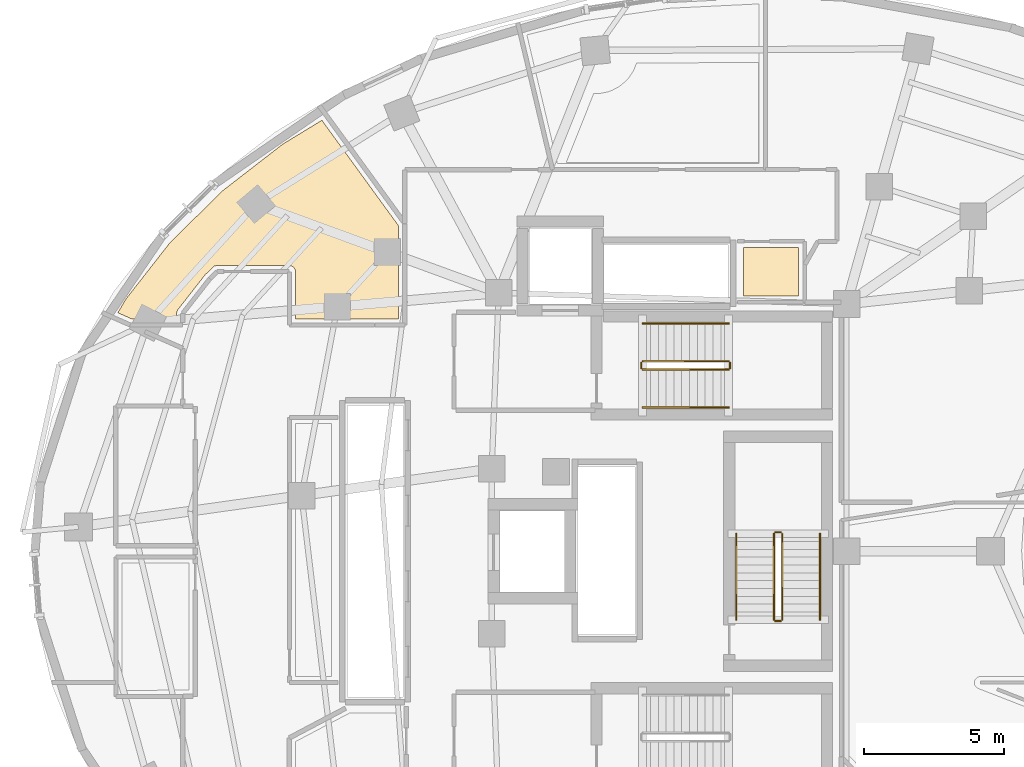
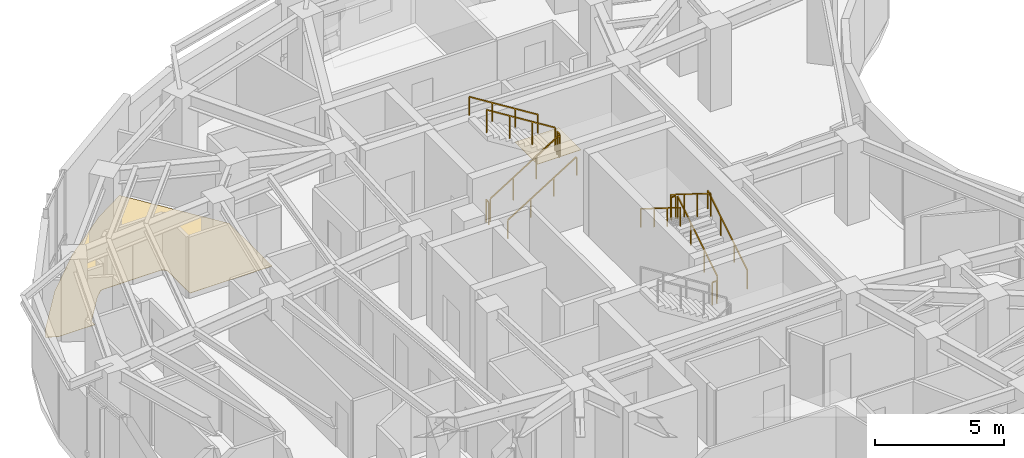
# One storey, part 12 of 13: 12 railings, 2 coverings.
"""IFC4 building model written with IfcOpenShell, lengths in metres."""

import ifcopenshell
import ifcopenshell.guid

model = None  # the IFC model being written
_history = None  # IfcOwnerHistory: only IFC2X3 demands one
_inside = {}  # id of a spatial element -> (the spatial element, [elements in it])
_under = {}  # id of a project, library or spatial element -> (it, [spatial elements below it])
_declared = {}  # id of a project -> (the project, [libraries it declares])
_typed = {}  # id of a type object -> (the type object, [elements of that type])
_made_of = {}  # id of a material, layer set ... -> (it, [elements and type objects made of it])


def new_model(schema):
    """Start an empty IFC model of exactly this schema.

    Asked for "IFC4X3", IfcOpenShell would pick the latest addendum, in which some entities
    have other attributes; the version numbers below select the first issue.
    IFC2X3 requires an IfcOwnerHistory on every rooted entity: one is made here for all.
    """
    global model, _history
    if schema == "IFC4X3":
        model = ifcopenshell.file(schema_version=(4, 3, 0, 0))
    else:
        model = ifcopenshell.file(schema=schema)
    _inside.clear()
    _under.clear()
    _declared.clear()
    _typed.clear()
    _made_of.clear()
    _history = None
    if model.schema == "IFC2X3":
        org = make("IfcOrganization", Name="unknown")
        user = make(
            "IfcPersonAndOrganization",
            ThePerson=make("IfcPerson", FamilyName="unknown"),
            TheOrganization=org,
        )
        app = make(
            "IfcApplication",
            ApplicationDeveloper=org,
            Version="unknown",
            ApplicationFullName="unknown",
            ApplicationIdentifier="unknown",
        )
        _history = make(
            "IfcOwnerHistory",
            OwningUser=user,
            OwningApplication=app,
            ChangeAction="ADDED",
            CreationDate=0,
        )
    return model


def make(cls, **values):
    """One entity of the class cls with the attributes given. An attribute that is None is left unset."""
    return model.create_entity(
        cls, **{name: value for name, value in values.items() if value is not None}
    )


def rooted(cls, **values):
    """An entity with a GlobalId (a new one), such as an element, a storey or a relation."""
    return make(cls, GlobalId=ifcopenshell.guid.new(), OwnerHistory=_history, **values)


def si_unit(unit_type, name, prefix=None):
    """IfcSIUnit, for example si_unit("LENGTHUNIT", "METRE", prefix="MILLI")."""
    return make("IfcSIUnit", UnitType=unit_type, Prefix=prefix, Name=name)


def assignment(units):
    """IfcUnitAssignment: the units of a project."""
    return None if units is None else make("IfcUnitAssignment", Units=units)


def point(xyz):
    """IfcCartesianPoint."""
    return None if xyz is None else make("IfcCartesianPoint", Coordinates=xyz)


def direction(xyz):
    """IfcDirection."""
    return None if xyz is None else make("IfcDirection", DirectionRatios=xyz)


def frame(location, z_axis=None, x_axis=None):
    """IfcAxis2Placement3D, a coordinate frame: its origin and axes. An axis left out is left unset."""
    return make(
        "IfcAxis2Placement3D",
        Location=point(location),
        Axis=direction(z_axis),
        RefDirection=direction(x_axis),
    )


def frame_2d(location, x_axis=None):
    """IfcAxis2Placement2D, a coordinate frame in the plane: its origin and x axis."""
    return make(
        "IfcAxis2Placement2D", Location=point(location), RefDirection=direction(x_axis)
    )


def origin():
    """The frame at (0, 0, 0) with its axes left unset."""
    return frame((0.0, 0.0, 0.0))


def origin_2d():
    """The frame at (0, 0) in the plane with its x axis left unset."""
    return frame_2d((0.0, 0.0))


def place(relative_to, where):
    """IfcLocalPlacement: puts the frame where relative to a parent placement (None: the world)."""
    return make(
        "IfcLocalPlacement", PlacementRelTo=relative_to, RelativePlacement=where
    )


def context(
    kind, dimensions, precision=None, world=None, true_north=None, identifier=None
):
    """IfcGeometricRepresentationContext, for example the 3D "Model" context."""
    return make(
        "IfcGeometricRepresentationContext",
        ContextIdentifier=identifier,
        ContextType=kind,
        CoordinateSpaceDimension=dimensions,
        Precision=precision,
        WorldCoordinateSystem=world,
        TrueNorth=true_north,
    )


def subcontext(parent, identifier, kind, view, scale=None):
    """IfcGeometricRepresentationSubContext, for example "Body" below "Model"."""
    return make(
        "IfcGeometricRepresentationSubContext",
        ContextIdentifier=identifier,
        ContextType=kind,
        ParentContext=parent,
        TargetScale=scale,
        TargetView=view,
    )


def project(units=None, contexts=None):
    """IfcProject with its units and contexts."""
    return rooted(
        "IfcProject",
        Name="project",
        RepresentationContexts=contexts,
        UnitsInContext=assignment(units),
    )


def spatial(cls, under=None, at=None, **own):
    """A site, building, storey or space (cls), placed at a placement, below another one or the project."""
    s = rooted(cls, ObjectPlacement=at, **own)
    if under is not None:
        _under.setdefault(under.id(), (under, []))[1].append(s)
    return s


def polyline(points):
    """IfcPolyline through the points."""
    return make("IfcPolyline", Points=[point(p) for p in points])


def profile(cls, at=None, kind="AREA", **sizes):
    """A parametric profile (cls). Its sizes go by their IFC names, for example OverallWidth=200.0."""
    return make(cls, ProfileType=kind, Position=at, **sizes)


def rectangle(**sizes):
    """IfcRectangleProfileDef."""
    return profile("IfcRectangleProfileDef", **sizes)


def outline(outer, holes=None, kind="AREA"):
    """IfcArbitraryClosedProfileDef: a profile drawn as a closed curve; with holes, ...WithVoids."""
    if holes is None:
        return make("IfcArbitraryClosedProfileDef", ProfileType=kind, OuterCurve=outer)
    return make(
        "IfcArbitraryProfileDefWithVoids",
        ProfileType=kind,
        OuterCurve=outer,
        InnerCurves=holes,
    )


def extrude(swept, where, along, depth):
    """IfcExtrudedAreaSolid: the profile swept, set in the frame where, extruded along a direction by depth."""
    return make(
        "IfcExtrudedAreaSolid",
        SweptArea=swept,
        Position=where,
        ExtrudedDirection=direction(along),
        Depth=depth,
    )


def shape(context_of_items, identifier, shape_type, items):
    """IfcShapeRepresentation: the items that make up one representation, for example the "Body"."""
    return make(
        "IfcShapeRepresentation",
        ContextOfItems=context_of_items,
        RepresentationIdentifier=identifier,
        RepresentationType=shape_type,
        Items=items,
    )


def material(Name=None, Category=None):
    """IfcMaterial."""
    return make("IfcMaterial", Name=Name, Category=Category)


def layer(
    of_material, thickness, ventilated=None, Name=None, Category=None, Priority=None
):
    """IfcMaterialLayer: one layer of a wall or slab, of a material (None: an air gap)."""
    return make(
        "IfcMaterialLayer",
        Material=of_material,
        LayerThickness=thickness,
        IsVentilated=ventilated,
        Name=Name,
        Category=Category,
        Priority=Priority,
    )


def layer_set(layers, Name=None):
    """IfcMaterialLayerSet."""
    return make("IfcMaterialLayerSet", MaterialLayers=layers, LayerSetName=Name)


def made_of(thing, what):
    """Note that an element or type object is made of a material, layer set ...; save() writes the relation."""
    if what is not None:
        _made_of.setdefault(what.id(), (what, []))[1].append(thing)
    return thing


def type_object(cls, material=None, **own):
    """A type object (cls), such as IfcWallType, which elements share."""
    return made_of(rooted(cls, **own), material)


def element(
    cls,
    number,
    at=None,
    inside=None,
    cuts=None,
    type_object=None,
    material=None,
    context=None,
    identifier="Body",
    shape_type=None,
    held_by="IfcProductDefinitionShape",
    body=None,
    shapes=None,
    **own,
):
    """One element of the class cls, such as IfcWall. Its Tag is "e" and its number.

    at: its placement. inside: the storey or other place that contains it. cuts: it is an
    opening in that element (IfcRelVoidsElement). A single representation is given by context,
    identifier, shape_type and body (its items); several are given by shapes. held_by: the class
    of the entity that holds the representations. save() writes the other relations.
    """
    e = rooted(cls, Tag="e%d" % number, ObjectPlacement=at, **own)
    if body is not None:
        shapes = [shape(context, identifier, shape_type, body)]
    if shapes is not None:
        e.Representation = make(held_by, Representations=shapes)
    if inside is not None:
        _inside.setdefault(inside.id(), (inside, []))[1].append(e)
    if cuts is not None:
        rooted(
            "IfcRelVoidsElement", RelatingBuildingElement=cuts, RelatedOpeningElement=e
        )
    if type_object is not None:
        _typed.setdefault(type_object.id(), (type_object, []))[1].append(e)
    return made_of(e, material)


def aggregate(whole, parts):
    """IfcRelAggregates: a whole, such as a stair, and the parts it consists of."""
    return rooted("IfcRelAggregates", RelatingObject=whole, RelatedObjects=parts)


def save(model, path):
    """Write the relations noted so far, then the file.

    IfcRelAggregates (storeys below a building ...), IfcRelContainedInSpatialStructure (elements
    in a storey), IfcRelDefinesByType, IfcRelAssociatesMaterial and IfcRelDeclares: one each for
    every whole, place, type object, material and project.
    """
    for whole, parts in _under.values():
        aggregate(whole, parts)
    for where, things in _inside.values():
        rooted(
            "IfcRelContainedInSpatialStructure",
            RelatedElements=things,
            RelatingStructure=where,
        )
    for kind, things in _typed.values():
        rooted("IfcRelDefinesByType", RelatedObjects=things, RelatingType=kind)
    for what, things in _made_of.values():
        rooted("IfcRelAssociatesMaterial", RelatedObjects=things, RelatingMaterial=what)
    for by, libraries in _declared.values():
        rooted("IfcRelDeclares", RelatingContext=by, RelatedDefinitions=libraries)
    model.write(path)


model = new_model("IFC4")

# Units and contexts
model_context = context("Model", 3, precision=1e-05, world=origin(), true_north=direction((0.0, 1.0)))
body_context = subcontext(model_context, "Body", "Model", "MODEL_VIEW")
ifc_project = project(units=[si_unit("LENGTHUNIT", "METRE"), si_unit("AREAUNIT", "SQUARE_METRE"), si_unit("VOLUMEUNIT", "CUBIC_METRE"), si_unit("PLANEANGLEUNIT", "RADIAN"), si_unit("MASSUNIT", "GRAM", prefix="KILO")], contexts=[model_context])

# Site, building, storey
site_placement = place(None, origin())
site = spatial("IfcSite", under=ifc_project, at=site_placement, CompositionType="ELEMENT")
building_placement = place(site_placement, origin())
building = spatial("IfcBuilding", under=site, at=building_placement, Name="Korentha Bioscience Tower", CompositionType="ELEMENT")
storey_placement = place(building_placement, frame((0.0, 0.0, 200.39990234375)))
storey = spatial("IfcBuildingStorey", under=building, at=storey_placement, Name="L46", CompositionType="ELEMENT", Elevation=200.39990234375)

# Covering
ifc_material_1 = material(Name="Vitrified Porcelain Tile", Category="ceramic")
ifc_layer_1 = layer(ifc_material_1, 0.014892578125, Name="Vitrified Porcelain Tile")
ifc_layer_set_1 = layer_set([ifc_layer_1], Name="Vitrified Porcelain Tile (FL-CER)")
covering_type_1 = type_object("IfcCoveringType", Name="Anti-Slip Ceramic Wet-Room Tile Flooring 15", PredefinedType="FLOORING", material=ifc_layer_set_1)
covering_1_placement = place(storey_placement, origin())
element("IfcCovering", 1, at=covering_1_placement, inside=storey, type_object=covering_type_1, Name="L46 Accessible Staff WC Floor Finish", PredefinedType="FLOORING", context=body_context, shape_type="SweptSolid", body=[
    extrude(outline(polyline([(33.8701171875, 36.1298828125), (33.8701171875, 37.8701171875), (35.830078125, 37.8701171875), (35.830078125, 36.1298828125), (33.8701171875, 36.1298828125)])), origin(), (0.0, 0.0, 1.0), 0.01513671875),
])

# Railings
ifc_material_2 = material(Name="Stainless Steel 304", Category="steel")
railing_type_1 = type_object("IfcRailingType", Name="Brushed Stainless Stair Handrail 900", PredefinedType="HANDRAIL", material=ifc_material_2)
railing_1_placement = place(storey_placement, frame((30.25, 32.14990234375, 0.175048828125)))
element("IfcRailing", 2, at=railing_1_placement, inside=storey, type_object=railing_type_1, Name="L46 ST-1 stair handrail 1", PredefinedType="HANDRAIL", context=body_context, shape_type="SweptSolid", body=[
    extrude(rectangle(XDim=0.048095703125, YDim=0.048095703125, at=origin_2d()), frame((0.0, 0.0, 0.8759765625), z_axis=(0.847998304005, 0.0, 0.529998940003), x_axis=(0.0, 1.0, 0.0)), (0.0, 0.0, 1.0), 3.632080078125),
    extrude(rectangle(XDim=0.0419921875, YDim=0.0419921875, at=origin_2d()), origin(), (0.0, 0.0, 1.0), 0.851806640625),
    extrude(rectangle(XDim=0.0419921875, YDim=0.0419921875, at=origin_2d()), frame((1.026611328125, 0.0, 0.6416015625)), (0.0, 0.0, 1.0), 0.851806640625),
    extrude(rectangle(XDim=0.0419921875, YDim=0.0419921875, at=origin_2d()), frame((2.053466796875, 0.0, 1.283447265625)), (0.0, 0.0, 1.0), 0.851806640625),
    extrude(rectangle(XDim=0.0419921875, YDim=0.0419921875, at=origin_2d()), frame((3.080078125, 0.0, 1.925048828125)), (0.0, 0.0, 1.0), 0.851806640625),
])
railing_2_placement = place(storey_placement, frame((33.330078125, 35.14990234375, 2.275146484375)))
element("IfcRailing", 3, at=railing_2_placement, inside=storey, type_object=railing_type_1, Name="L46 ST-1 stair handrail 2", PredefinedType="HANDRAIL", context=body_context, shape_type="SweptSolid", body=[
    extrude(rectangle(XDim=0.048095703125, YDim=0.048095703125, at=origin_2d()), frame((0.0, 0.0, 0.8759765625), z_axis=(-0.847998304005, 0.0, 0.529998940003), x_axis=(0.0, -1.0, 0.0)), (0.0, 0.0, 1.0), 3.632080078125),
    extrude(rectangle(XDim=0.0419921875, YDim=0.0419921875, at=origin_2d()), origin(), (0.0, 0.0, 1.0), 0.851806640625),
    extrude(rectangle(XDim=0.0419921875, YDim=0.0419921875, at=origin_2d()), frame((-1.026611328125, 0.0, 0.6416015625)), (0.0, 0.0, 1.0), 0.851806640625),
    extrude(rectangle(XDim=0.0419921875, YDim=0.0419921875, at=origin_2d()), frame((-2.053466796875, 0.0, 1.283447265625)), (0.0, 0.0, 1.0), 0.851806640625),
    extrude(rectangle(XDim=0.0419921875, YDim=0.0419921875, at=origin_2d()), frame((-3.080078125, 0.0, 1.925048828125)), (0.0, 0.0, 1.0), 0.851806640625),
])
railing_3_placement = place(storey_placement, frame((36.60009765625, 24.550048828125, 0.175048828125)))
element("IfcRailing", 4, at=railing_3_placement, inside=storey, type_object=railing_type_1, Name="L46 ST-3 stair handrail 1", PredefinedType="HANDRAIL", context=body_context, shape_type="SweptSolid", body=[
    extrude(rectangle(XDim=0.048095703125, YDim=0.048095703125, at=origin_2d()), frame((0.0, 0.0, 0.8759765625), z_axis=(0.0, 0.847979421464, 0.530029150871), x_axis=(-1.0, 0.0, 0.0)), (0.0, 0.0, 1.0), 3.632080078125),
    extrude(rectangle(XDim=0.0419921875, YDim=0.0419921875, at=origin_2d()), origin(), (0.0, 0.0, 1.0), 0.851806640625),
    extrude(rectangle(XDim=0.0419921875, YDim=0.0419921875, at=origin_2d()), frame((0.0, 1.026611328125, 0.6416015625)), (0.0, 0.0, 1.0), 0.851806640625),
    extrude(rectangle(XDim=0.0419921875, YDim=0.0419921875, at=origin_2d()), frame((0.0, 2.05322265625, 1.283447265625)), (0.0, 0.0, 1.0), 0.851806640625),
    extrude(rectangle(XDim=0.0419921875, YDim=0.0419921875, at=origin_2d()), frame((0.0, 3.079833984375, 1.925048828125)), (0.0, 0.0, 1.0), 0.851806640625),
])
railing_4_placement = place(storey_placement, frame((33.60009765625, 27.6298828125, 2.275146484375)))
element("IfcRailing", 5, at=railing_4_placement, inside=storey, type_object=railing_type_1, Name="L46 ST-3 stair handrail 2", PredefinedType="HANDRAIL", context=body_context, shape_type="SweptSolid", body=[
    extrude(rectangle(XDim=0.048095703125, YDim=0.048095703125, at=origin_2d()), frame((0.0, 0.0, 0.8759765625), z_axis=(0.0, -0.847979421464, 0.530029150871), x_axis=(1.0, 0.0, 0.0)), (0.0, 0.0, 1.0), 3.632080078125),
    extrude(rectangle(XDim=0.0419921875, YDim=0.0419921875, at=origin_2d()), origin(), (0.0, 0.0, 1.0), 0.851806640625),
    extrude(rectangle(XDim=0.0419921875, YDim=0.0419921875, at=origin_2d()), frame((0.0, -1.026611328125, 0.6416015625)), (0.0, 0.0, 1.0), 0.851806640625),
    extrude(rectangle(XDim=0.0419921875, YDim=0.0419921875, at=origin_2d()), frame((0.0, -2.05322265625, 1.283447265625)), (0.0, 0.0, 1.0), 0.851806640625),
    extrude(rectangle(XDim=0.0419921875, YDim=0.0419921875, at=origin_2d()), frame((0.0, -3.079833984375, 1.925048828125)), (0.0, 0.0, 1.0), 0.851806640625),
])
ifc_material_3 = material(Name="Painted Steel S275", Category="steel")
railing_type_2 = type_object("IfcRailingType", Name="Painted Steel Stair Well Guardrail 1100", PredefinedType="GUARDRAIL", material=ifc_material_3)
railing_5_placement = place(storey_placement, frame((30.25, 33.5, 0.175048828125)))
element("IfcRailing", 6, at=railing_5_placement, inside=storey, type_object=railing_type_2, Name="L46 ST-1 stair guard 1", PredefinedType="GUARDRAIL", context=body_context, shape_type="SweptSolid", body=[
    extrude(rectangle(XDim=0.048095703125, YDim=0.048095703125, at=origin_2d()), frame((0.0, 0.0, 1.076171875), z_axis=(0.847998304005, 0.0, 0.529998940003), x_axis=(0.0, 1.0, 0.0)), (0.0, 0.0, 1.0), 3.632080078125),
    extrude(rectangle(XDim=0.0419921875, YDim=0.0419921875, at=origin_2d()), origin(), (0.0, 0.0, 1.0), 1.052001953125),
    extrude(rectangle(XDim=0.0419921875, YDim=0.0419921875, at=origin_2d()), frame((1.026611328125, 0.0, 0.6416015625)), (0.0, 0.0, 1.0), 1.052001953125),
    extrude(rectangle(XDim=0.0419921875, YDim=0.0419921875, at=origin_2d()), frame((2.053466796875, 0.0, 1.283447265625)), (0.0, 0.0, 1.0), 1.052001953125),
    extrude(rectangle(XDim=0.0419921875, YDim=0.0419921875, at=origin_2d()), frame((3.080078125, 0.0, 1.925048828125)), (0.0, 0.0, 1.0), 1.052001953125),
])
railing_6_placement = place(storey_placement, frame((33.3798828125, 33.550048828125, 2.10009765625)))
element("IfcRailing", 7, at=railing_6_placement, inside=storey, type_object=railing_type_2, Name="L46 ST-1 stair guard 2", PredefinedType="GUARDRAIL", context=body_context, shape_type="SweptSolid", body=[
    extrude(rectangle(XDim=0.048095703125, YDim=0.048095703125, at=origin_2d()), frame((0.0, 0.0, 1.076171875), z_axis=(0.0, 1.0, 0.0), x_axis=(-1.0, 0.0, 0.0)), (0.0, 0.0, 1.0), 0.199951171875),
    extrude(rectangle(XDim=0.0419921875, YDim=0.0419921875, at=origin_2d()), origin(), (0.0, 0.0, 1.0), 1.052001953125),
    extrude(rectangle(XDim=0.0419921875, YDim=0.0419921875, at=origin_2d()), frame((0.0, 0.199951171875, 0.0)), (0.0, 0.0, 1.0), 1.052001953125),
])
railing_7_placement = place(storey_placement, frame((33.330078125, 33.800048828125, 2.275146484375)))
element("IfcRailing", 8, at=railing_7_placement, inside=storey, type_object=railing_type_2, Name="L46 ST-1 stair guard 3", PredefinedType="GUARDRAIL", context=body_context, shape_type="SweptSolid", body=[
    extrude(rectangle(XDim=0.048095703125, YDim=0.048095703125, at=origin_2d()), frame((0.0, 0.0, 1.076171875), z_axis=(-0.847998304005, 0.0, 0.529998940003), x_axis=(0.0, -1.0, 0.0)), (0.0, 0.0, 1.0), 3.632080078125),
    extrude(rectangle(XDim=0.0419921875, YDim=0.0419921875, at=origin_2d()), origin(), (0.0, 0.0, 1.0), 1.052001953125),
    extrude(rectangle(XDim=0.0419921875, YDim=0.0419921875, at=origin_2d()), frame((-1.026611328125, 0.0, 0.6416015625)), (0.0, 0.0, 1.0), 1.052001953125),
    extrude(rectangle(XDim=0.0419921875, YDim=0.0419921875, at=origin_2d()), frame((-2.053466796875, 0.0, 1.283447265625)), (0.0, 0.0, 1.0), 1.052001953125),
    extrude(rectangle(XDim=0.0419921875, YDim=0.0419921875, at=origin_2d()), frame((-3.080078125, 0.0, 1.925048828125)), (0.0, 0.0, 1.0), 1.052001953125),
])
railing_8_placement = place(storey_placement, frame((30.199951171875, 33.550048828125, 0.0)))
element("IfcRailing", 9, at=railing_8_placement, inside=storey, type_object=railing_type_2, Name="L46 ST-1 stair guard 4", PredefinedType="GUARDRAIL", context=body_context, shape_type="SweptSolid", body=[
    extrude(rectangle(XDim=0.048095703125, YDim=0.048095703125, at=origin_2d()), frame((0.0, 0.0, 1.076171875), z_axis=(0.0, 1.0, 0.0), x_axis=(-1.0, 0.0, 0.0)), (0.0, 0.0, 1.0), 0.199951171875),
    extrude(rectangle(XDim=0.0419921875, YDim=0.0419921875, at=origin_2d()), origin(), (0.0, 0.0, 1.0), 1.052001953125),
    extrude(rectangle(XDim=0.0419921875, YDim=0.0419921875, at=origin_2d()), frame((0.0, 0.199951171875, 0.0)), (0.0, 0.0, 1.0), 1.052001953125),
])
railing_9_placement = place(storey_placement, frame((35.25, 24.550048828125, 0.175048828125)))
element("IfcRailing", 10, at=railing_9_placement, inside=storey, type_object=railing_type_2, Name="L46 ST-3 stair guard 1", PredefinedType="GUARDRAIL", context=body_context, shape_type="SweptSolid", body=[
    extrude(rectangle(XDim=0.048095703125, YDim=0.048095703125, at=origin_2d()), frame((0.0, 0.0, 1.076171875), z_axis=(0.0, 0.847979421464, 0.530029150871), x_axis=(-1.0, 0.0, 0.0)), (0.0, 0.0, 1.0), 3.632080078125),
    extrude(rectangle(XDim=0.0419921875, YDim=0.0419921875, at=origin_2d()), origin(), (0.0, 0.0, 1.0), 1.052001953125),
    extrude(rectangle(XDim=0.0419921875, YDim=0.0419921875, at=origin_2d()), frame((0.0, 1.026611328125, 0.6416015625)), (0.0, 0.0, 1.0), 1.052001953125),
    extrude(rectangle(XDim=0.0419921875, YDim=0.0419921875, at=origin_2d()), frame((0.0, 2.05322265625, 1.283447265625)), (0.0, 0.0, 1.0), 1.052001953125),
    extrude(rectangle(XDim=0.0419921875, YDim=0.0419921875, at=origin_2d()), frame((0.0, 3.079833984375, 1.925048828125)), (0.0, 0.0, 1.0), 1.052001953125),
])
railing_10_placement = place(storey_placement, frame((35.199951171875, 27.679931640625, 2.10009765625)))
element("IfcRailing", 11, at=railing_10_placement, inside=storey, type_object=railing_type_2, Name="L46 ST-3 stair guard 2", PredefinedType="GUARDRAIL", context=body_context, shape_type="SweptSolid", body=[
    extrude(rectangle(XDim=0.048095703125, YDim=0.048095703125, at=origin_2d()), frame((0.0, 0.0, 1.076171875), z_axis=(-1.0, 0.0, 0.0), x_axis=(0.0, -1.0, 0.0)), (0.0, 0.0, 1.0), 0.199951171875),
    extrude(rectangle(XDim=0.0419921875, YDim=0.0419921875, at=origin_2d()), origin(), (0.0, 0.0, 1.0), 1.052001953125),
    extrude(rectangle(XDim=0.0419921875, YDim=0.0419921875, at=origin_2d()), frame((-0.199951171875, 0.0, 0.0)), (0.0, 0.0, 1.0), 1.052001953125),
])
railing_11_placement = place(storey_placement, frame((34.949951171875, 27.6298828125, 2.275146484375)))
element("IfcRailing", 12, at=railing_11_placement, inside=storey, type_object=railing_type_2, Name="L46 ST-3 stair guard 3", PredefinedType="GUARDRAIL", context=body_context, shape_type="SweptSolid", body=[
    extrude(rectangle(XDim=0.048095703125, YDim=0.048095703125, at=origin_2d()), frame((0.0, 0.0, 1.076171875), z_axis=(0.0, -0.847979421464, 0.530029150871), x_axis=(1.0, 0.0, 0.0)), (0.0, 0.0, 1.0), 3.632080078125),
    extrude(rectangle(XDim=0.0419921875, YDim=0.0419921875, at=origin_2d()), origin(), (0.0, 0.0, 1.0), 1.052001953125),
    extrude(rectangle(XDim=0.0419921875, YDim=0.0419921875, at=origin_2d()), frame((0.0, -1.026611328125, 0.6416015625)), (0.0, 0.0, 1.0), 1.052001953125),
    extrude(rectangle(XDim=0.0419921875, YDim=0.0419921875, at=origin_2d()), frame((0.0, -2.05322265625, 1.283447265625)), (0.0, 0.0, 1.0), 1.052001953125),
    extrude(rectangle(XDim=0.0419921875, YDim=0.0419921875, at=origin_2d()), frame((0.0, -3.079833984375, 1.925048828125)), (0.0, 0.0, 1.0), 1.052001953125),
])
railing_12_placement = place(storey_placement, frame((35.199951171875, 24.5, 0.0)))
element("IfcRailing", 13, at=railing_12_placement, inside=storey, type_object=railing_type_2, Name="L46 ST-3 stair guard 4", PredefinedType="GUARDRAIL", context=body_context, shape_type="SweptSolid", body=[
    extrude(rectangle(XDim=0.048095703125, YDim=0.048095703125, at=origin_2d()), frame((0.0, 0.0, 1.076171875), z_axis=(-1.0, 0.0, 0.0), x_axis=(0.0, -1.0, 0.0)), (0.0, 0.0, 1.0), 0.199951171875),
    extrude(rectangle(XDim=0.0419921875, YDim=0.0419921875, at=origin_2d()), origin(), (0.0, 0.0, 1.0), 1.052001953125),
    extrude(rectangle(XDim=0.0419921875, YDim=0.0419921875, at=origin_2d()), frame((-0.199951171875, 0.0, 0.0)), (0.0, 0.0, 1.0), 1.052001953125),
])

# Covering
ifc_material_4 = material(Name="Chemical-Resistant Epoxy Resin", Category="polymer")
ifc_layer_2 = layer(ifc_material_4, 0.011962890625, Name="Chemical-Resistant Epoxy Resin")
ifc_layer_set_2 = layer_set([ifc_layer_2], Name="Chemical-Resistant Epoxy Resin (FL-EPX)")
covering_type_2 = type_object("IfcCoveringType", Name="Seamless Epoxy Laboratory Flooring 12", PredefinedType="FLOORING", material=ifc_layer_set_2)
covering_2_placement = place(storey_placement, origin())
element("IfcCovering", 14, at=covering_2_placement, inside=storey, type_object=covering_type_2, Name="L46 Automated High-Throughput Assay Lab 11 Floor Finish", PredefinedType="FLOORING", context=body_context, shape_type="SweptSolid", body=[
    extrude(outline(polyline([(11.747314453125, 36.01513671875), (13.323486328125, 38.032958984375), (15.20751953125, 39.8955078125), (17.37255859375, 41.57373046875), (18.7724609375, 42.425048828125), (21.51220703125, 38.654296875), (21.51953125, 35.322021484375), (17.830078125, 35.322021484375), (17.82763671875, 37.033203125), (17.8076171875, 37.098876953125), (17.7548828125, 37.170166015625), (17.697998046875, 37.2080078125), (17.61181640625, 37.229736328125), (15.023681640625, 37.22998046875), (14.925537109375, 37.2080078125), (14.59619140625, 36.89990234375), (13.612548828125, 35.64111328125), (13.572265625, 35.5400390625), (13.570068359375, 35.322021484375), (11.950927734375, 35.322021484375), (11.468017578125, 35.53515625), (11.747314453125, 36.01513671875)])), origin(), (0.0, 0.0, 1.0), 0.01220703125),
])

save(model, "model.ifc")
